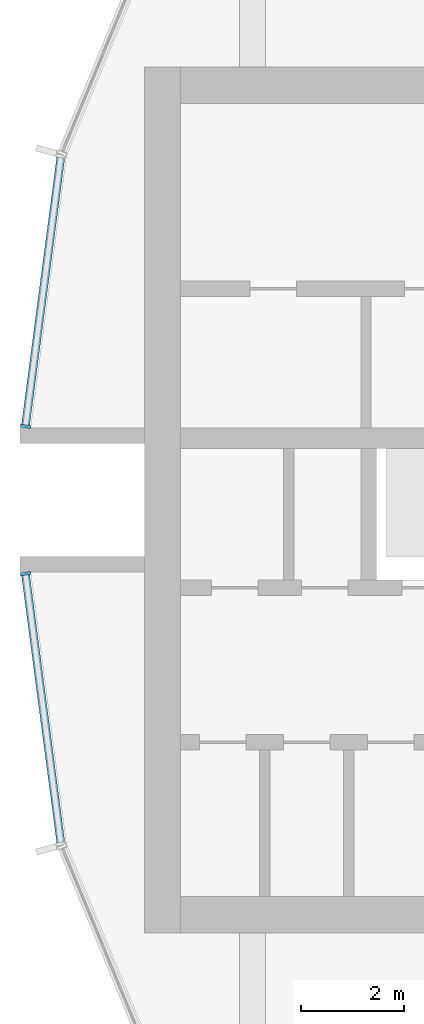
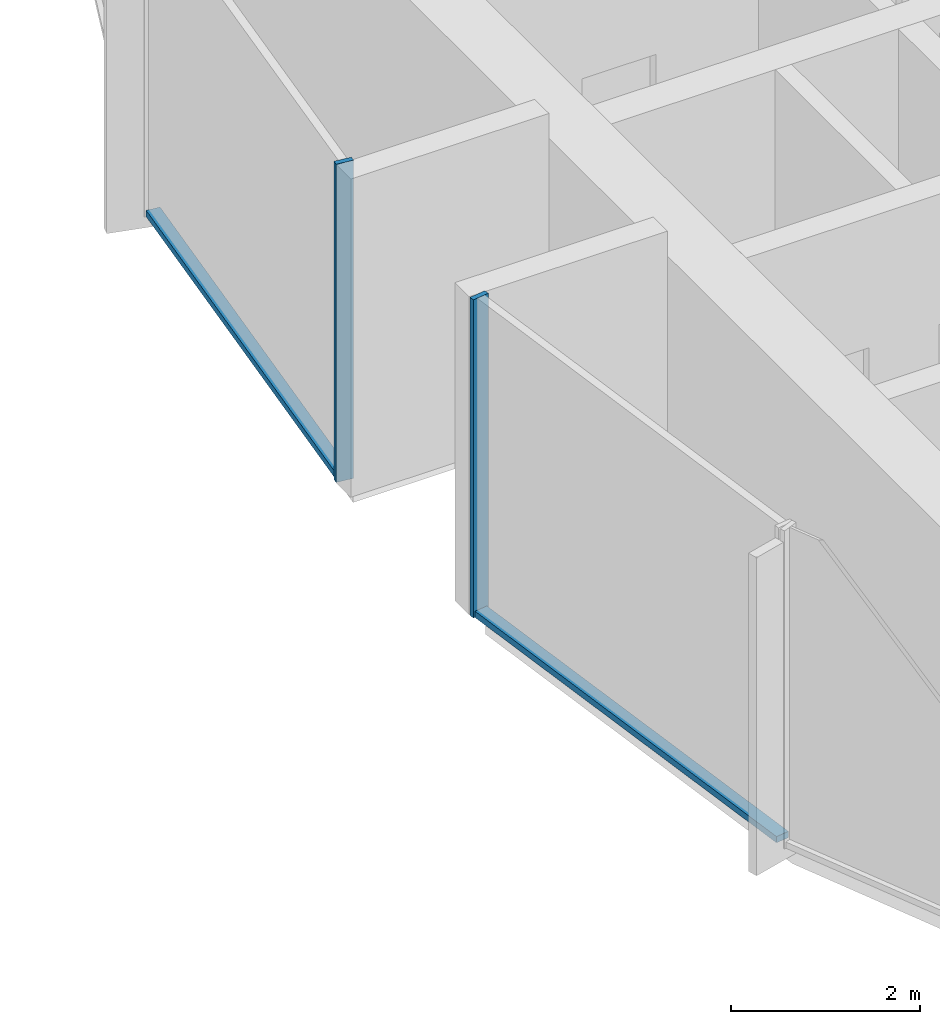
# One storey, part 3 of 15: 4 members, 2 elements without a shape of their own.
"""IFC4 building model written with IfcOpenShell, lengths in metres."""

from ifc_helpers import new_model, si_unit, direction, frame, origin, origin_2d, place, context, subcontext, project, spatial, rectangle, extrude, material, layer, layer_set, material_profile, profile_set, type_object, element, aggregate, save


model = new_model("IFC4")

# Units and contexts
model_context = context("Model", 3, precision=1e-05, world=origin(), true_north=direction((0.0, 1.0)))
body_context = subcontext(model_context, "Body", "Model", "MODEL_VIEW")
ifc_project = project(units=[si_unit("LENGTHUNIT", "METRE"), si_unit("AREAUNIT", "SQUARE_METRE"), si_unit("VOLUMEUNIT", "CUBIC_METRE"), si_unit("PLANEANGLEUNIT", "RADIAN"), si_unit("MASSUNIT", "GRAM", prefix="KILO")], contexts=[model_context])

# Site, building, storey
site_placement = place(None, origin())
site = spatial("IfcSite", under=ifc_project, at=site_placement, CompositionType="ELEMENT")
building_placement = place(site_placement, origin())
building = spatial("IfcBuilding", under=site, at=building_placement, Name="Torre Brocal", CompositionType="ELEMENT")
storey_placement = place(building_placement, frame((0.0, 0.0, 178.199951171875)))
storey = spatial("IfcBuildingStorey", under=building, at=storey_placement, Name="L41", CompositionType="ELEMENT", Elevation=178.199951171875)

# Curtain wall, member
ifc_material_1 = material(Name="Aluminium and glass", Category="aluminium")
ifc_layer = layer(ifc_material_1, 0.199951171875)
ifc_layer_set = layer_set([ifc_layer], Name="Aluminium and glass")
curtain_wall_type = type_object("IfcCurtainWallType", Name="CW-1B CURTAIN WALL 4100 HIGH", PredefinedType="NOTDEFINED", material=ifc_layer_set)
curtain_wall_1_placement = place(storey_placement, origin())
curtain_wall_1 = element("IfcCurtainWall", 1, at=curtain_wall_1_placement, inside=storey, type_object=curtain_wall_type, Name="CW-1B RUN 12", PredefinedType="NOTDEFINED")
ifc_material_2 = material(Name="Aluminium, dark anodised", Category="aluminium")
ifc_material_profile_1 = material_profile(ifc_material_2, rectangle(XDim=0.199951171875, YDim=0.06005859375, at=origin_2d()), Name="CW-1B MULLION 60X200")
ifc_profile_set_1 = profile_set([ifc_material_profile_1], Name="Aluminium, dark anodised")
member_type_1 = type_object("IfcMemberType", Name="CW-1B MULLION 60X200", PredefinedType="MULLION", material=ifc_profile_set_1)
member_1_placement = place(storey_placement, frame((54.2890625, 76.4296875, 0.0), z_axis=(0.0, 0.0, 1.0), x_axis=(0.991444861374, -0.13052619222, 0.0)))
member_1 = element("IfcMember", 2, at=member_1_placement, type_object=member_type_1, Name="CW1B-4 mullion 2", PredefinedType="MULLION", context=body_context, shape_type="SweptSolid", body=[
    extrude(rectangle(XDim=0.199951171875, YDim=0.06005859375, at=origin_2d()), origin(), (0.0, 0.0, 1.0), 4.10009765625),
])

curtain_wall_2_placement = place(storey_placement, origin())
curtain_wall_2 = element("IfcCurtainWall", 3, at=curtain_wall_2_placement, inside=storey, type_object=curtain_wall_type, Name="CW-1B RUN 13", PredefinedType="NOTDEFINED")
member_2_placement = place(storey_placement, frame((54.2890625, 73.5703125, 0.0), z_axis=(0.0, 0.0, 1.0), x_axis=(0.991444861374, 0.13052619222, 0.0)))
member_2 = element("IfcMember", 4, at=member_2_placement, type_object=member_type_1, Name="CW1B-4 mullion 1", PredefinedType="MULLION", context=body_context, shape_type="SweptSolid", body=[
    extrude(rectangle(XDim=0.199951171875, YDim=0.06005859375, at=origin_2d()), origin(), (0.0, 0.0, 1.0), 4.10009765625),
])

# Member
ifc_material_3 = material(Name="Aluminium, dark anodised", Category="aluminium")
ifc_material_profile_2 = material_profile(ifc_material_3, rectangle(XDim=0.159912109375, YDim=0.080078125, at=origin_2d()), Name="CW-1B TRANSOM 160X80")
ifc_profile_set_2 = profile_set([ifc_material_profile_2], Name="Aluminium, dark anodised")
member_type_2 = type_object("IfcMemberType", Name="CW-1B TRANSOM 160X80", PredefinedType="USERDEFINED", material=ifc_profile_set_2)
member_3_placement = place(storey_placement, frame((54.9755859375, 81.643798828125, 0.0400390625), z_axis=(-0.130542677827, -0.991442690863, 0.0), x_axis=(0.991442690863, -0.130542677827, 0.0)))
member_3 = element("IfcMember", 5, at=member_3_placement, type_object=member_type_2, Name="CW1B-4 transom 1.1", ObjectType="TRANSOM", PredefinedType="USERDEFINED", context=body_context, shape_type="SweptSolid", body=[
    extrude(rectangle(XDim=0.159912109375, YDim=0.080078125, at=origin_2d()), origin(), (0.0, 0.0, 1.0), 5.22900390625),
])

aggregate(curtain_wall_1, [member_1, member_3])

member_4_placement = place(storey_placement, frame((54.29296875, 73.54052734375, 0.0400390625), z_axis=(0.130542677827, -0.991442690863, 0.0), x_axis=(0.991442690863, 0.130542677827, 0.0)))
member_4 = element("IfcMember", 6, at=member_4_placement, type_object=member_type_2, Name="CW1B-4 transom 1.1", ObjectType="TRANSOM", PredefinedType="USERDEFINED", context=body_context, shape_type="SweptSolid", body=[
    extrude(rectangle(XDim=0.159912109375, YDim=0.080078125, at=origin_2d()), origin(), (0.0, 0.0, 1.0), 5.22900390625),
])

aggregate(curtain_wall_2, [member_2, member_4])

save(model, "model.ifc")
